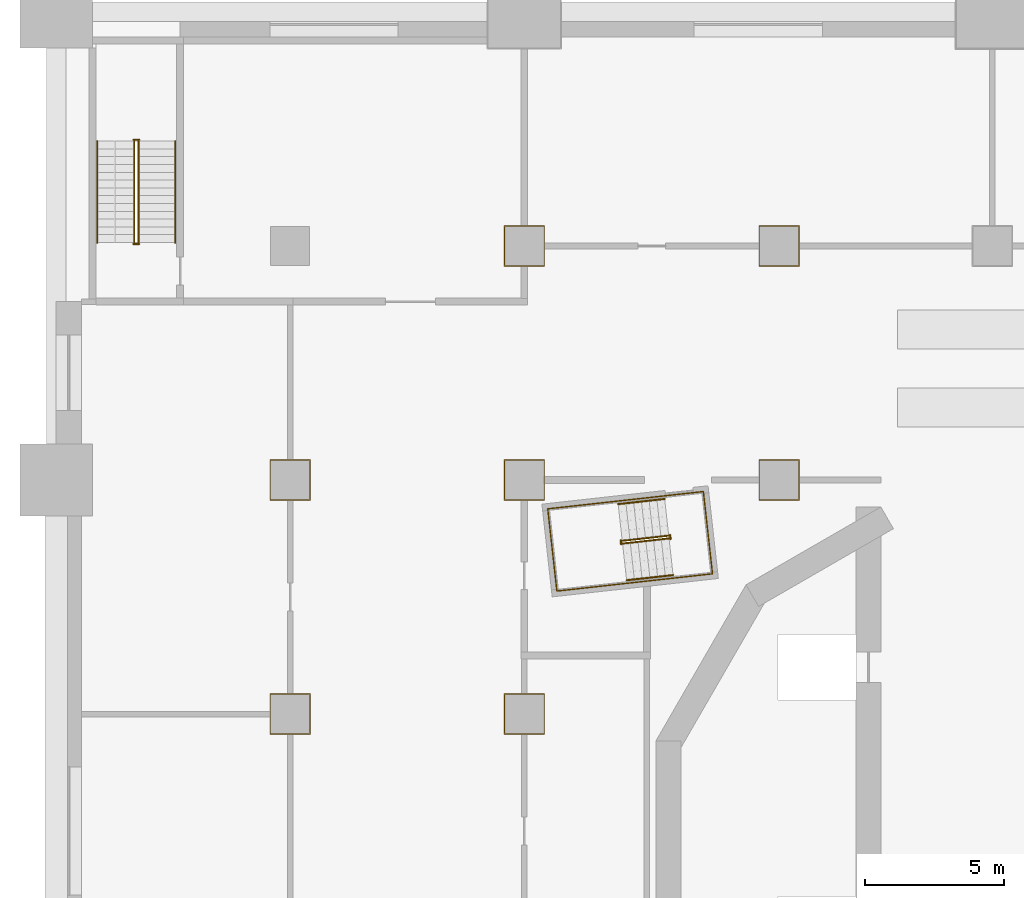
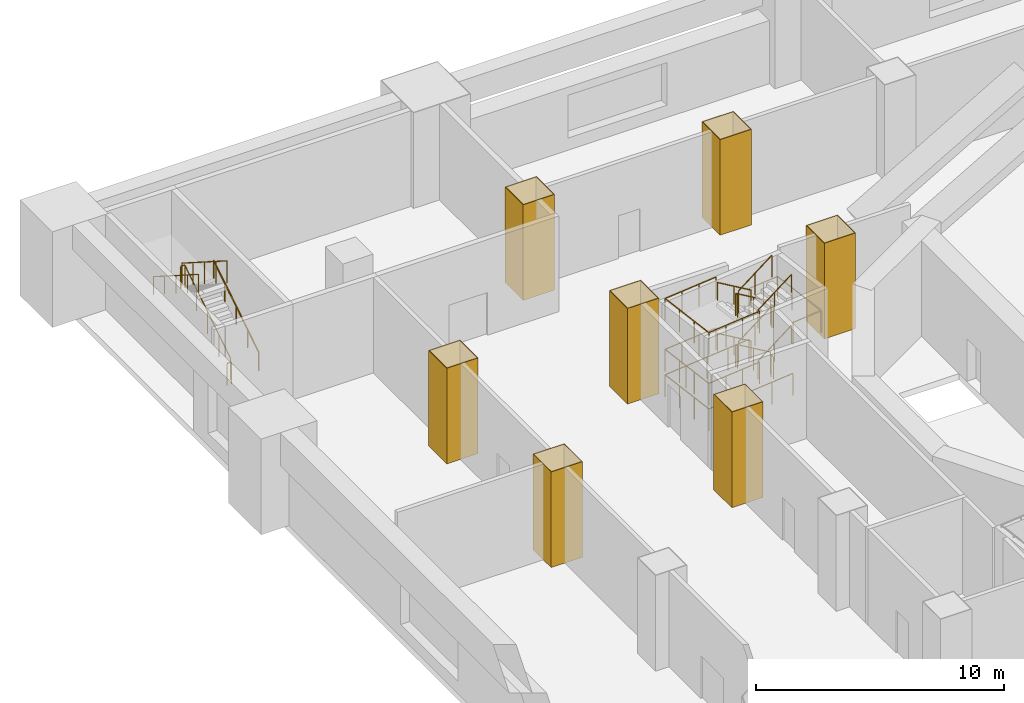
# One storey, part 13 of 19: 19 railings, 7 coverings.
"""IFC4 building model written with IfcOpenShell, lengths in metres."""

from ifc_helpers import new_model, si_unit, direction, frame, origin, origin_2d, place, context, subcontext, project, spatial, polyline, circle, outline, extrude, material, layer, layer_set, type_object, element, save


model = new_model("IFC4")

# Units and contexts
model_context = context("Model", 3, precision=1e-05, world=origin(), true_north=direction((0.0, 1.0)))
body_context = subcontext(model_context, "Body", "Model", "MODEL_VIEW")
ifc_project = project(units=[si_unit("LENGTHUNIT", "METRE"), si_unit("AREAUNIT", "SQUARE_METRE"), si_unit("VOLUMEUNIT", "CUBIC_METRE"), si_unit("PLANEANGLEUNIT", "RADIAN"), si_unit("MASSUNIT", "GRAM", prefix="KILO")], contexts=[model_context])

# Site, building, storey
site_placement = place(None, origin())
site = spatial("IfcSite", under=ifc_project, at=site_placement, CompositionType="ELEMENT")
building_placement = place(site_placement, origin())
building = spatial("IfcBuilding", under=site, at=building_placement, Name="Cantera Rosa Tower", CompositionType="ELEMENT")
storey_placement = place(building_placement, frame((0.0, 0.0, 12.0)))
storey = spatial("IfcBuildingStorey", under=building, at=storey_placement, Name="L01", CompositionType="ELEMENT", Elevation=12.0)

# Coverings
ifc_material_1 = material(Name="Plaster")
ifc_layer = layer(ifc_material_1, 0.030029296875)
ifc_layer_set = layer_set([ifc_layer], Name="Column casing 30")
covering_type = type_object("IfcCoveringType", Name="Column casing 30", PredefinedType="CLADDING", material=ifc_layer_set)
covering_1_placement = place(storey_placement, origin())
element("IfcCovering", 1, at=covering_1_placement, inside=storey, type_object=covering_type, Name="Column casing L01-003", PredefinedType="CLADDING", context=body_context, shape_type="SweptSolid", body=[
    extrude(outline(polyline([(-25.929931640625, 3.469970703125), (-24.469970703125, 3.469970703125), (-24.469970703125, 4.929931640625), (-25.929931640625, 4.929931640625), (-25.929931640625, 3.469970703125)]), holes=[polyline([(-24.5, 4.89990234375), (-25.89990234375, 4.89990234375), (-25.89990234375, 3.5), (-24.5, 3.5), (-24.5, 4.89990234375)])]), origin(), (0.0, 0.0, 1.0), 4.699951171875),
])
covering_2_placement = place(storey_placement, origin())
element("IfcCovering", 2, at=covering_2_placement, inside=storey, type_object=covering_type, Name="Column casing L01-004", PredefinedType="CLADDING", context=body_context, shape_type="SweptSolid", body=[
    extrude(outline(polyline([(-25.929931640625, 11.8701171875), (-24.469970703125, 11.8701171875), (-24.469970703125, 13.330078125), (-25.929931640625, 13.330078125), (-25.929931640625, 11.8701171875)]), holes=[polyline([(-24.5, 13.300048828125), (-25.89990234375, 13.300048828125), (-25.89990234375, 11.89990234375), (-24.5, 11.89990234375), (-24.5, 13.300048828125)])]), origin(), (0.0, 0.0, 1.0), 4.699951171875),
])
covering_3_placement = place(storey_placement, origin())
element("IfcCovering", 3, at=covering_3_placement, inside=storey, type_object=covering_type, Name="Column casing L01-009", PredefinedType="CLADDING", context=body_context, shape_type="SweptSolid", body=[
    extrude(outline(polyline([(-17.530029296875, 3.469970703125), (-16.070068359375, 3.469970703125), (-16.070068359375, 4.929931640625), (-17.530029296875, 4.929931640625), (-17.530029296875, 3.469970703125)]), holes=[polyline([(-16.10009765625, 4.89990234375), (-17.5, 4.89990234375), (-17.5, 3.5), (-16.10009765625, 3.5), (-16.10009765625, 4.89990234375)])]), origin(), (0.0, 0.0, 1.0), 4.699951171875),
])
covering_4_placement = place(storey_placement, origin())
element("IfcCovering", 4, at=covering_4_placement, inside=storey, type_object=covering_type, Name="Column casing L01-010", PredefinedType="CLADDING", context=body_context, shape_type="SweptSolid", body=[
    extrude(outline(polyline([(-17.530029296875, 11.8701171875), (-16.070068359375, 11.8701171875), (-16.070068359375, 13.330078125), (-17.530029296875, 13.330078125), (-17.530029296875, 11.8701171875)]), holes=[polyline([(-16.10009765625, 13.300048828125), (-17.5, 13.300048828125), (-17.5, 11.89990234375), (-16.10009765625, 11.89990234375), (-16.10009765625, 13.300048828125)])]), origin(), (0.0, 0.0, 1.0), 4.699951171875),
])
covering_5_placement = place(storey_placement, origin())
element("IfcCovering", 5, at=covering_5_placement, inside=storey, type_object=covering_type, Name="Column casing L01-011", PredefinedType="CLADDING", context=body_context, shape_type="SweptSolid", body=[
    extrude(outline(polyline([(-17.530029296875, 20.27001953125), (-16.070068359375, 20.27001953125), (-16.070068359375, 21.72998046875), (-17.530029296875, 21.72998046875), (-17.530029296875, 20.27001953125)]), holes=[polyline([(-16.10009765625, 21.699951171875), (-17.5, 21.699951171875), (-17.5, 20.300048828125), (-16.10009765625, 20.300048828125), (-16.10009765625, 21.699951171875)])]), origin(), (0.0, 0.0, 1.0), 4.699951171875),
])
covering_6_placement = place(storey_placement, origin())
element("IfcCovering", 6, at=covering_6_placement, inside=storey, type_object=covering_type, Name="Column casing L01-015", PredefinedType="CLADDING", context=body_context, shape_type="SweptSolid", body=[
    extrude(outline(polyline([(-8.3798828125, 11.8701171875), (-6.919921875, 11.8701171875), (-6.919921875, 13.330078125), (-8.3798828125, 13.330078125), (-8.3798828125, 11.8701171875)]), holes=[polyline([(-6.949951171875, 13.300048828125), (-8.35009765625, 13.300048828125), (-8.35009765625, 11.89990234375), (-6.949951171875, 11.89990234375), (-6.949951171875, 13.300048828125)])]), origin(), (0.0, 0.0, 1.0), 4.699951171875),
])
covering_7_placement = place(storey_placement, origin())
element("IfcCovering", 7, at=covering_7_placement, inside=storey, type_object=covering_type, Name="Column casing L01-016", PredefinedType="CLADDING", context=body_context, shape_type="SweptSolid", body=[
    extrude(outline(polyline([(-8.3798828125, 20.27001953125), (-6.919921875, 20.27001953125), (-6.919921875, 21.72998046875), (-8.3798828125, 21.72998046875), (-8.3798828125, 20.27001953125)]), holes=[polyline([(-6.949951171875, 21.699951171875), (-8.35009765625, 21.699951171875), (-8.35009765625, 20.300048828125), (-6.949951171875, 20.300048828125), (-6.949951171875, 21.699951171875)])]), origin(), (0.0, 0.0, 1.0), 4.699951171875),
])

# Railings
ifc_material_2 = material(Name="Steel S355J2 (EN 10025-2)", Category="steel")
railing_type_1 = type_object("IfcRailingType", Name="STAIR GUARD 1100", PredefinedType="GUARDRAIL", material=ifc_material_2)
railing_1_placement = place(storey_placement, frame((-11.614013671875, 10.60302734375, 0.178466796875)))
element("IfcRailing", 8, at=railing_1_placement, inside=storey, type_object=railing_type_1, Name="L01 ST-12 stair guard 1", PredefinedType="GUARDRAIL", context=body_context, shape_type="SweptSolid", body=[
    extrude(circle(Radius=0.02392578125, at=origin_2d()), frame((0.0, 0.0, 1.076171875), z_axis=(-0.837950904326, -0.092996744609, 0.537763784046), x_axis=(0.110303920128, -0.993897904819, 0.0)), (0.0, 0.0, 1.0), 1.99267578125),
    extrude(circle(Radius=0.02392578125, at=origin_2d()), frame((-1.669677734375, -0.185302734375, 2.1474609375), z_axis=(-0.931434406233, 0.363909256389, 0.0), x_axis=(-0.363909256389, -0.931434406233, 0.0)), (0.0, 0.0, 1.0), 0.056396484375),
    extrude(circle(Radius=0.02392578125, at=origin_2d()), frame((-1.72216796875, -0.164794921875, 2.1474609375), z_axis=(0.1090029065, -0.994041430915, 0.0), x_axis=(0.994041430915, 0.1090029065, 0.0)), (0.0, 0.0, 1.0), 0.150146484375),
    extrude(circle(Radius=0.02099609375, at=origin_2d()), origin(), (0.0, 0.0, 1.0), 1.052001953125),
    extrude(circle(Radius=0.02099609375, at=origin_2d()), frame((-0.8349609375, -0.0927734375, 0.53564453125)), (0.0, 0.0, 1.0), 1.052001953125),
    extrude(circle(Radius=0.02099609375, at=origin_2d()), frame((-1.669677734375, -0.185302734375, 1.071533203125)), (0.0, 0.0, 1.0), 1.052001953125),
    extrude(circle(Radius=0.02099609375, at=origin_2d()), frame((-1.72216796875, -0.164794921875, 1.071533203125)), (0.0, 0.0, 1.0), 1.052001953125),
    extrude(circle(Radius=0.02099609375, at=origin_2d()), frame((-1.705810546875, -0.31396484375, 1.071533203125)), (0.0, 0.0, 1.0), 1.052001953125),
])
railing_2_placement = place(storey_placement, frame((-13.27294921875, 10.3203125, 1.428466796875)))
element("IfcRailing", 9, at=railing_2_placement, inside=storey, type_object=railing_type_1, Name="L01 ST-12 stair guard 2", PredefinedType="GUARDRAIL", context=body_context, shape_type="SweptSolid", body=[
    extrude(circle(Radius=0.02392578125, at=origin_2d()), frame((0.0, 0.0, 1.076171875), z_axis=(0.837987391448, 0.092987197384, 0.537708576179), x_axis=(-0.11028798999, 0.993899672635, 0.0)), (0.0, 0.0, 1.0), 1.99267578125),
    extrude(circle(Radius=0.02392578125, at=origin_2d()), frame((1.669921875, 0.185302734375, 2.1474609375), z_axis=(0.932897555956, -0.360141847183, 0.0), x_axis=(0.360141847183, 0.932897555956, 0.0)), (0.0, 0.0, 1.0), 0.05615234375),
    extrude(circle(Radius=0.02392578125, at=origin_2d()), frame((1.722412109375, 0.1650390625, 2.1474609375), z_axis=(-0.110610055588, 0.993863881828, 0.0), x_axis=(-0.993863881828, -0.110610055588, 0.0)), (0.0, 0.0, 1.0), 0.150146484375),
    extrude(circle(Radius=0.02099609375, at=origin_2d()), origin(), (0.0, 0.0, 1.0), 1.052001953125),
    extrude(circle(Radius=0.02099609375, at=origin_2d()), frame((0.8349609375, 0.0927734375, 0.53564453125)), (0.0, 0.0, 1.0), 1.052001953125),
    extrude(circle(Radius=0.02099609375, at=origin_2d()), frame((1.669921875, 0.185302734375, 1.071533203125)), (0.0, 0.0, 1.0), 1.052001953125),
    extrude(circle(Radius=0.02099609375, at=origin_2d()), frame((1.722412109375, 0.1650390625, 1.071533203125)), (0.0, 0.0, 1.0), 1.052001953125),
    extrude(circle(Radius=0.02099609375, at=origin_2d()), frame((1.705810546875, 0.314208984375, 1.071533203125)), (0.0, 0.0, 1.0), 1.052001953125),
])
railing_3_placement = place(storey_placement, frame((-11.614013671875, 10.60302734375, 2.678466796875)))
element("IfcRailing", 10, at=railing_3_placement, inside=storey, type_object=railing_type_1, Name="L01 ST-12 stair guard 3", PredefinedType="GUARDRAIL", context=body_context, shape_type="SweptSolid", body=[
    extrude(circle(Radius=0.02392578125, at=origin_2d()), frame((0.0, 0.0, 1.076171875), z_axis=(-0.837950904326, -0.092996744609, 0.537763784046), x_axis=(0.110303920128, -0.993897904819, 0.0)), (0.0, 0.0, 1.0), 1.99267578125),
    extrude(circle(Radius=0.02392578125, at=origin_2d()), frame((-1.669677734375, -0.185302734375, 2.1474609375), z_axis=(-0.931434406233, 0.363909256389, 0.0), x_axis=(-0.363909256389, -0.931434406233, 0.0)), (0.0, 0.0, 1.0), 0.056396484375),
    extrude(circle(Radius=0.02392578125, at=origin_2d()), frame((-1.72216796875, -0.164794921875, 2.1474609375), z_axis=(0.1090029065, -0.994041430915, 0.0), x_axis=(0.994041430915, 0.1090029065, 0.0)), (0.0, 0.0, 1.0), 0.150146484375),
    extrude(circle(Radius=0.02099609375, at=origin_2d()), origin(), (0.0, 0.0, 1.0), 1.052001953125),
    extrude(circle(Radius=0.02099609375, at=origin_2d()), frame((-0.8349609375, -0.0927734375, 0.53564453125)), (0.0, 0.0, 1.0), 1.052001953125),
    extrude(circle(Radius=0.02099609375, at=origin_2d()), frame((-1.669677734375, -0.185302734375, 1.071533203125)), (0.0, 0.0, 1.0), 1.052001953125),
    extrude(circle(Radius=0.02099609375, at=origin_2d()), frame((-1.72216796875, -0.164794921875, 1.071533203125)), (0.0, 0.0, 1.0), 1.052001953125),
    extrude(circle(Radius=0.02099609375, at=origin_2d()), frame((-1.705810546875, -0.31396484375, 1.071533203125)), (0.0, 0.0, 1.0), 1.052001953125),
])
railing_4_placement = place(storey_placement, frame((-13.27294921875, 10.3203125, 3.928466796875)))
element("IfcRailing", 11, at=railing_4_placement, inside=storey, type_object=railing_type_1, Name="L01 ST-12 stair guard 4", PredefinedType="GUARDRAIL", context=body_context, shape_type="SweptSolid", body=[
    extrude(circle(Radius=0.02392578125, at=origin_2d()), frame((0.0, 0.0, 1.076171875), z_axis=(0.837987391448, 0.092987197384, 0.537708576179), x_axis=(-0.11028798999, 0.993899672635, 0.0)), (0.0, 0.0, 1.0), 1.99267578125),
    extrude(circle(Radius=0.02099609375, at=origin_2d()), origin(), (0.0, 0.0, 1.0), 1.052001953125),
    extrude(circle(Radius=0.02099609375, at=origin_2d()), frame((0.8349609375, 0.0927734375, 0.53564453125)), (0.0, 0.0, 1.0), 1.052001953125),
    extrude(circle(Radius=0.02099609375, at=origin_2d()), frame((1.669921875, 0.185302734375, 1.071533203125)), (0.0, 0.0, 1.0), 1.052001953125),
])
railing_5_placement = place(storey_placement, frame((-11.567138671875, 10.634521484375, 0.0)))
element("IfcRailing", 12, at=railing_5_placement, inside=storey, type_object=railing_type_1, Name="L01 ST-12 stair guard 5", PredefinedType="GUARDRAIL", context=body_context, shape_type="SweptSolid", body=[
    extrude(circle(Radius=0.02392578125, at=origin_2d()), frame((0.0, 0.0, 1.076171875), z_axis=(0.110610055588, -0.993863881828, 0.0), x_axis=(0.993863881828, 0.110610055588, 0.0)), (0.0, 0.0, 1.0), 0.150146484375),
    extrude(circle(Radius=0.02099609375, at=origin_2d()), origin(), (0.0, 0.0, 1.0), 1.052001953125),
    extrude(circle(Radius=0.02099609375, at=origin_2d()), frame((0.0166015625, -0.149169921875, 0.0)), (0.0, 0.0, 1.0), 1.052001953125),
])
railing_6_placement = place(storey_placement, frame((-11.7841796875, 12.029052734375, 0.0)))
element("IfcRailing", 13, at=railing_6_placement, inside=storey, type_object=railing_type_1, Name="L01 ST-12 stair guard 6", PredefinedType="GUARDRAIL", context=body_context, shape_type="SweptSolid", body=[
    extrude(circle(Radius=0.02392578125, at=origin_2d()), frame((0.0, 0.0, 1.076171875), z_axis=(-0.9938957856, -0.110323013767, 0.0), x_axis=(0.110323013767, -0.9938957856, 0.0)), (0.0, 0.0, 1.0), 4.197998046875),
    extrude(circle(Radius=0.02392578125, at=origin_2d()), frame((-4.17236328125, -0.463134765625, 1.076171875), z_axis=(0.11023303584, -0.99390576908, 0.0), x_axis=(0.99390576908, 0.11023303584, 0.0)), (0.0, 0.0, 1.0), 2.969970703125),
    extrude(circle(Radius=0.02392578125, at=origin_2d()), frame((-3.844970703125, -3.4150390625, 1.076171875), z_axis=(0.993896493372, 0.11031663729, 0.0), x_axis=(-0.11031663729, 0.993896493372, 0.0)), (0.0, 0.0, 1.0), 4.1982421875),
    extrude(circle(Radius=0.02099609375, at=origin_2d()), origin(), (0.0, 0.0, 1.0), 1.052001953125),
    extrude(circle(Radius=0.02099609375, at=origin_2d()), frame((-1.04296875, -0.11572265625, 0.0)), (0.0, 0.0, 1.0), 1.052001953125),
    extrude(circle(Radius=0.02099609375, at=origin_2d()), frame((-2.086181640625, -0.2314453125, 0.0)), (0.0, 0.0, 1.0), 1.052001953125),
    extrude(circle(Radius=0.02099609375, at=origin_2d()), frame((-3.12939453125, -0.347412109375, 0.0)), (0.0, 0.0, 1.0), 1.052001953125),
    extrude(circle(Radius=0.02099609375, at=origin_2d()), frame((-4.17236328125, -0.463134765625, 0.0)), (0.0, 0.0, 1.0), 1.052001953125),
    extrude(circle(Radius=0.02099609375, at=origin_2d()), frame((-4.063232421875, -1.447021484375, 0.0)), (0.0, 0.0, 1.0), 1.052001953125),
    extrude(circle(Radius=0.02099609375, at=origin_2d()), frame((-3.9541015625, -2.43115234375, 0.0)), (0.0, 0.0, 1.0), 1.052001953125),
    extrude(circle(Radius=0.02099609375, at=origin_2d()), frame((-3.844970703125, -3.4150390625, 0.0)), (0.0, 0.0, 1.0), 1.052001953125),
    extrude(circle(Radius=0.02099609375, at=origin_2d()), frame((-2.8017578125, -3.29931640625, 0.0)), (0.0, 0.0, 1.0), 1.052001953125),
    extrude(circle(Radius=0.02099609375, at=origin_2d()), frame((-1.7587890625, -3.18359375, 0.0)), (0.0, 0.0, 1.0), 1.052001953125),
    extrude(circle(Radius=0.02099609375, at=origin_2d()), frame((-0.715576171875, -3.067626953125, 0.0)), (0.0, 0.0, 1.0), 1.052001953125),
    extrude(circle(Radius=0.02099609375, at=origin_2d()), frame((0.32763671875, -2.951904296875, 0.0)), (0.0, 0.0, 1.0), 1.052001953125),
])
railing_7_placement = place(storey_placement, frame((-13.43017578125, 11.846435546875, 1.25)))
element("IfcRailing", 14, at=railing_7_placement, inside=storey, type_object=railing_type_1, Name="L01 ST-12 stair guard 7", PredefinedType="GUARDRAIL", context=body_context, shape_type="SweptSolid", body=[
    extrude(circle(Radius=0.02392578125, at=origin_2d()), frame((0.0, 0.0, 1.076171875), z_axis=(-0.993891931048, -0.110357733743, 0.0), x_axis=(0.110357733743, -0.993891931048, 0.0)), (0.0, 0.0, 1.0), 2.5419921875),
    extrude(circle(Radius=0.02392578125, at=origin_2d()), frame((-2.5263671875, -0.280517578125, 1.076171875), z_axis=(0.11023303584, -0.99390576908, 0.0), x_axis=(0.99390576908, 0.11023303584, 0.0)), (0.0, 0.0, 1.0), 2.969970703125),
    extrude(circle(Radius=0.02392578125, at=origin_2d()), frame((-2.198974609375, -3.232421875, 1.076171875), z_axis=(0.993893100618, 0.110347199982, 0.0), x_axis=(-0.110347199982, 0.993893100618, 0.0)), (0.0, 0.0, 1.0), 2.542236328125),
    extrude(circle(Radius=0.02099609375, at=origin_2d()), origin(), (0.0, 0.0, 1.0), 1.052001953125),
    extrude(circle(Radius=0.02099609375, at=origin_2d()), frame((-0.842041015625, -0.093505859375, 0.0)), (0.0, 0.0, 1.0), 1.052001953125),
    extrude(circle(Radius=0.02099609375, at=origin_2d()), frame((-1.684326171875, -0.18701171875, 0.0)), (0.0, 0.0, 1.0), 1.052001953125),
    extrude(circle(Radius=0.02099609375, at=origin_2d()), frame((-2.5263671875, -0.280517578125, 0.0)), (0.0, 0.0, 1.0), 1.052001953125),
    extrude(circle(Radius=0.02099609375, at=origin_2d()), frame((-2.417236328125, -1.264404296875, 0.0)), (0.0, 0.0, 1.0), 1.052001953125),
    extrude(circle(Radius=0.02099609375, at=origin_2d()), frame((-2.30810546875, -2.24853515625, 0.0)), (0.0, 0.0, 1.0), 1.052001953125),
    extrude(circle(Radius=0.02099609375, at=origin_2d()), frame((-2.198974609375, -3.232421875, 0.0)), (0.0, 0.0, 1.0), 1.052001953125),
    extrude(circle(Radius=0.02099609375, at=origin_2d()), frame((-1.356689453125, -3.138916015625, 0.0)), (0.0, 0.0, 1.0), 1.052001953125),
    extrude(circle(Radius=0.02099609375, at=origin_2d()), frame((-0.5146484375, -3.04541015625, 0.0)), (0.0, 0.0, 1.0), 1.052001953125),
    extrude(circle(Radius=0.02099609375, at=origin_2d()), frame((0.32763671875, -2.951904296875, 0.0)), (0.0, 0.0, 1.0), 1.052001953125),
])
railing_8_placement = place(storey_placement, frame((-11.7841796875, 12.029052734375, 2.5)))
element("IfcRailing", 15, at=railing_8_placement, inside=storey, type_object=railing_type_1, Name="L01 ST-12 stair guard 8", PredefinedType="GUARDRAIL", context=body_context, shape_type="SweptSolid", body=[
    extrude(circle(Radius=0.02392578125, at=origin_2d()), frame((0.0, 0.0, 1.076171875), z_axis=(0.993887921413, 0.110393838913, 0.0), x_axis=(-0.110393838913, 0.993887921413, 0.0)), (0.0, 0.0, 1.0), 1.422119140625),
    extrude(circle(Radius=0.02392578125, at=origin_2d()), frame((1.413330078125, 0.156982421875, 1.076171875), z_axis=(0.11023303584, -0.99390576908, 0.0), x_axis=(0.99390576908, 0.11023303584, 0.0)), (0.0, 0.0, 1.0), 2.969970703125),
    extrude(circle(Radius=0.02392578125, at=origin_2d()), frame((1.74072265625, -2.794921875, 1.076171875), z_axis=(-0.993885828579, -0.110412679298, 0.0), x_axis=(0.110412679298, -0.993885828579, 0.0)), (0.0, 0.0, 1.0), 1.421875),
    extrude(circle(Radius=0.02099609375, at=origin_2d()), origin(), (0.0, 0.0, 1.0), 1.052001953125),
    extrude(circle(Radius=0.02099609375, at=origin_2d()), frame((0.70654296875, 0.07861328125, 0.0)), (0.0, 0.0, 1.0), 1.052001953125),
    extrude(circle(Radius=0.02099609375, at=origin_2d()), frame((1.413330078125, 0.156982421875, 0.0)), (0.0, 0.0, 1.0), 1.052001953125),
    extrude(circle(Radius=0.02099609375, at=origin_2d()), frame((1.5224609375, -0.826904296875, 0.0)), (0.0, 0.0, 1.0), 1.052001953125),
    extrude(circle(Radius=0.02099609375, at=origin_2d()), frame((1.631591796875, -1.81103515625, 0.0)), (0.0, 0.0, 1.0), 1.052001953125),
    extrude(circle(Radius=0.02099609375, at=origin_2d()), frame((1.74072265625, -2.794921875, 0.0)), (0.0, 0.0, 1.0), 1.052001953125),
    extrude(circle(Radius=0.02099609375, at=origin_2d()), frame((1.0341796875, -2.87353515625, 0.0)), (0.0, 0.0, 1.0), 1.052001953125),
    extrude(circle(Radius=0.02099609375, at=origin_2d()), frame((0.32763671875, -2.951904296875, 0.0)), (0.0, 0.0, 1.0), 1.052001953125),
])
railing_9_placement = place(storey_placement, frame((-13.43017578125, 11.846435546875, 3.75)))
element("IfcRailing", 16, at=railing_9_placement, inside=storey, type_object=railing_type_1, Name="L01 ST-12 stair guard 9", PredefinedType="GUARDRAIL", context=body_context, shape_type="SweptSolid", body=[
    extrude(circle(Radius=0.02392578125, at=origin_2d()), frame((0.0, 0.0, 1.076171875), z_axis=(-0.993891931048, -0.110357733743, 0.0), x_axis=(0.110357733743, -0.993891931048, 0.0)), (0.0, 0.0, 1.0), 2.5419921875),
    extrude(circle(Radius=0.02392578125, at=origin_2d()), frame((-2.5263671875, -0.280517578125, 1.076171875), z_axis=(0.11023303584, -0.99390576908, 0.0), x_axis=(0.99390576908, 0.11023303584, 0.0)), (0.0, 0.0, 1.0), 2.969970703125),
    extrude(circle(Radius=0.02392578125, at=origin_2d()), frame((-2.198974609375, -3.232421875, 1.076171875), z_axis=(0.993893100618, 0.110347199982, 0.0), x_axis=(-0.110347199982, 0.993893100618, 0.0)), (0.0, 0.0, 1.0), 2.542236328125),
    extrude(circle(Radius=0.02099609375, at=origin_2d()), origin(), (0.0, 0.0, 1.0), 1.052001953125),
    extrude(circle(Radius=0.02099609375, at=origin_2d()), frame((-0.842041015625, -0.093505859375, 0.0)), (0.0, 0.0, 1.0), 1.052001953125),
    extrude(circle(Radius=0.02099609375, at=origin_2d()), frame((-1.684326171875, -0.18701171875, 0.0)), (0.0, 0.0, 1.0), 1.052001953125),
    extrude(circle(Radius=0.02099609375, at=origin_2d()), frame((-2.5263671875, -0.280517578125, 0.0)), (0.0, 0.0, 1.0), 1.052001953125),
    extrude(circle(Radius=0.02099609375, at=origin_2d()), frame((-2.417236328125, -1.264404296875, 0.0)), (0.0, 0.0, 1.0), 1.052001953125),
    extrude(circle(Radius=0.02099609375, at=origin_2d()), frame((-2.30810546875, -2.24853515625, 0.0)), (0.0, 0.0, 1.0), 1.052001953125),
    extrude(circle(Radius=0.02099609375, at=origin_2d()), frame((-2.198974609375, -3.232421875, 0.0)), (0.0, 0.0, 1.0), 1.052001953125),
    extrude(circle(Radius=0.02099609375, at=origin_2d()), frame((-1.356689453125, -3.138916015625, 0.0)), (0.0, 0.0, 1.0), 1.052001953125),
    extrude(circle(Radius=0.02099609375, at=origin_2d()), frame((-0.5146484375, -3.04541015625, 0.0)), (0.0, 0.0, 1.0), 1.052001953125),
    extrude(circle(Radius=0.02099609375, at=origin_2d()), frame((0.32763671875, -2.951904296875, 0.0)), (0.0, 0.0, 1.0), 1.052001953125),
])
railing_10_placement = place(storey_placement, frame((-30.65087890625, 21.125, 0.178466796875)))
element("IfcRailing", 17, at=railing_10_placement, inside=storey, type_object=railing_type_1, Name="L01 ST-NW stair guard 1", PredefinedType="GUARDRAIL", context=body_context, shape_type="SweptSolid", body=[
    extrude(circle(Radius=0.02392578125, at=origin_2d()), frame((0.0, 0.0, 1.076171875), z_axis=(0.0, 0.843111507901, 0.53773877045), x_axis=(-1.0, 0.0, 0.0)), (0.0, 0.0, 1.0), 4.317138671875),
    extrude(circle(Radius=0.02099609375, at=origin_2d()), origin(), (0.0, 0.0, 1.0), 1.052001953125),
    extrude(circle(Radius=0.02099609375, at=origin_2d()), frame((0.0, 0.909912109375, 0.580322265625)), (0.0, 0.0, 1.0), 1.052001953125),
    extrude(circle(Radius=0.02099609375, at=origin_2d()), frame((0.0, 1.81982421875, 1.16064453125)), (0.0, 0.0, 1.0), 1.052001953125),
    extrude(circle(Radius=0.02099609375, at=origin_2d()), frame((0.0, 2.72998046875, 1.7412109375)), (0.0, 0.0, 1.0), 1.052001953125),
    extrude(circle(Radius=0.02099609375, at=origin_2d()), frame((0.0, 3.639892578125, 2.321533203125)), (0.0, 0.0, 1.0), 1.052001953125),
])
railing_11_placement = place(storey_placement, frame((-30.625, 24.81494140625, 2.5)))
element("IfcRailing", 18, at=railing_11_placement, inside=storey, type_object=railing_type_1, Name="L01 ST-NW stair guard 2", PredefinedType="GUARDRAIL", context=body_context, shape_type="SweptSolid", body=[
    extrude(circle(Radius=0.02392578125, at=origin_2d()), frame((0.0, 0.0, 1.076171875), z_axis=(-1.0, 0.0, 0.0), x_axis=(0.0, -1.0, 0.0)), (0.0, 0.0, 1.0), 0.199951171875),
    extrude(circle(Radius=0.02099609375, at=origin_2d()), origin(), (0.0, 0.0, 1.0), 1.052001953125),
    extrude(circle(Radius=0.02099609375, at=origin_2d()), frame((-0.199951171875, 0.0, 0.0)), (0.0, 0.0, 1.0), 1.052001953125),
])
railing_12_placement = place(storey_placement, frame((-30.799072265625, 24.764892578125, 2.678466796875)))
element("IfcRailing", 19, at=railing_12_placement, inside=storey, type_object=railing_type_1, Name="L01 ST-NW stair guard 3", PredefinedType="GUARDRAIL", context=body_context, shape_type="SweptSolid", body=[
    extrude(circle(Radius=0.02392578125, at=origin_2d()), frame((0.0, 0.0, 1.076171875), z_axis=(0.0, -0.843111507901, 0.53773877045), x_axis=(1.0, 0.0, 0.0)), (0.0, 0.0, 1.0), 4.317138671875),
    extrude(circle(Radius=0.02099609375, at=origin_2d()), origin(), (0.0, 0.0, 1.0), 1.052001953125),
    extrude(circle(Radius=0.02099609375, at=origin_2d()), frame((0.0, -0.909912109375, 0.580322265625)), (0.0, 0.0, 1.0), 1.052001953125),
    extrude(circle(Radius=0.02099609375, at=origin_2d()), frame((0.0, -1.81982421875, 1.16064453125)), (0.0, 0.0, 1.0), 1.052001953125),
    extrude(circle(Radius=0.02099609375, at=origin_2d()), frame((0.0, -2.72998046875, 1.7412109375)), (0.0, 0.0, 1.0), 1.052001953125),
    extrude(circle(Radius=0.02099609375, at=origin_2d()), frame((0.0, -3.639892578125, 2.321533203125)), (0.0, 0.0, 1.0), 1.052001953125),
])
railing_13_placement = place(storey_placement, frame((-30.625, 21.074951171875, 0.0)))
element("IfcRailing", 20, at=railing_13_placement, inside=storey, type_object=railing_type_1, Name="L01 ST-NW stair guard 4", PredefinedType="GUARDRAIL", context=body_context, shape_type="SweptSolid", body=[
    extrude(circle(Radius=0.02392578125, at=origin_2d()), frame((0.0, 0.0, 1.076171875), z_axis=(-1.0, 0.0, 0.0), x_axis=(0.0, -1.0, 0.0)), (0.0, 0.0, 1.0), 0.199951171875),
    extrude(circle(Radius=0.02099609375, at=origin_2d()), origin(), (0.0, 0.0, 1.0), 1.052001953125),
    extrude(circle(Radius=0.02099609375, at=origin_2d()), frame((-0.199951171875, 0.0, 0.0)), (0.0, 0.0, 1.0), 1.052001953125),
])
ifc_material_3 = material(Name="Steel S355J2 (EN 10025-2)", Category="steel")
railing_type_2 = type_object("IfcRailingType", Name="STAIR HANDRAIL 900", PredefinedType="HANDRAIL", material=ifc_material_3)
railing_14_placement = place(storey_placement, frame((-11.76025390625, 11.921142578125, 0.178466796875)))
element("IfcRailing", 21, at=railing_14_placement, inside=storey, type_object=railing_type_2, Name="L01 ST-12 stair handrail 1", PredefinedType="HANDRAIL", context=body_context, shape_type="SweptSolid", body=[
    extrude(circle(Radius=0.02392578125, at=origin_2d()), frame((0.0, 0.0, 0.8759765625), z_axis=(-0.837950904326, -0.092996744609, 0.537763784046), x_axis=(0.110303920128, -0.993897904819, 0.0)), (0.0, 0.0, 1.0), 1.99267578125),
    extrude(circle(Radius=0.02099609375, at=origin_2d()), origin(), (0.0, 0.0, 1.0), 0.851806640625),
    extrude(circle(Radius=0.02099609375, at=origin_2d()), frame((-0.8349609375, -0.0927734375, 0.53564453125)), (0.0, 0.0, 1.0), 0.851806640625),
    extrude(circle(Radius=0.02099609375, at=origin_2d()), frame((-1.669677734375, -0.185302734375, 1.071533203125)), (0.0, 0.0, 1.0), 0.851806640625),
])
railing_15_placement = place(storey_placement, frame((-13.126708984375, 9.00244140625, 1.428466796875)))
element("IfcRailing", 22, at=railing_15_placement, inside=storey, type_object=railing_type_2, Name="L01 ST-12 stair handrail 2", PredefinedType="HANDRAIL", context=body_context, shape_type="SweptSolid", body=[
    extrude(circle(Radius=0.02392578125, at=origin_2d()), frame((0.0, 0.0, 0.8759765625), z_axis=(0.837987391448, 0.092987197384, 0.537708576179), x_axis=(-0.11028798999, 0.993899672635, 0.0)), (0.0, 0.0, 1.0), 1.99267578125),
    extrude(circle(Radius=0.02099609375, at=origin_2d()), origin(), (0.0, 0.0, 1.0), 0.851806640625),
    extrude(circle(Radius=0.02099609375, at=origin_2d()), frame((0.8349609375, 0.0927734375, 0.53564453125)), (0.0, 0.0, 1.0), 0.851806640625),
    extrude(circle(Radius=0.02099609375, at=origin_2d()), frame((1.669921875, 0.185302734375, 1.071533203125)), (0.0, 0.0, 1.0), 0.851806640625),
])
railing_16_placement = place(storey_placement, frame((-11.76025390625, 11.921142578125, 2.678466796875)))
element("IfcRailing", 23, at=railing_16_placement, inside=storey, type_object=railing_type_2, Name="L01 ST-12 stair handrail 3", PredefinedType="HANDRAIL", context=body_context, shape_type="SweptSolid", body=[
    extrude(circle(Radius=0.02392578125, at=origin_2d()), frame((0.0, 0.0, 0.8759765625), z_axis=(-0.837950904326, -0.092996744609, 0.537763784046), x_axis=(0.110303920128, -0.993897904819, 0.0)), (0.0, 0.0, 1.0), 1.99267578125),
    extrude(circle(Radius=0.02099609375, at=origin_2d()), origin(), (0.0, 0.0, 1.0), 0.851806640625),
    extrude(circle(Radius=0.02099609375, at=origin_2d()), frame((-0.8349609375, -0.0927734375, 0.53564453125)), (0.0, 0.0, 1.0), 0.851806640625),
    extrude(circle(Radius=0.02099609375, at=origin_2d()), frame((-1.669677734375, -0.185302734375, 1.071533203125)), (0.0, 0.0, 1.0), 0.851806640625),
])
railing_17_placement = place(storey_placement, frame((-13.126708984375, 9.00244140625, 3.928466796875)))
element("IfcRailing", 24, at=railing_17_placement, inside=storey, type_object=railing_type_2, Name="L01 ST-12 stair handrail 4", PredefinedType="HANDRAIL", context=body_context, shape_type="SweptSolid", body=[
    extrude(circle(Radius=0.02392578125, at=origin_2d()), frame((0.0, 0.0, 0.8759765625), z_axis=(0.837987391448, 0.092987197384, 0.537708576179), x_axis=(-0.11028798999, 0.993899672635, 0.0)), (0.0, 0.0, 1.0), 1.99267578125),
    extrude(circle(Radius=0.02099609375, at=origin_2d()), origin(), (0.0, 0.0, 1.0), 0.851806640625),
    extrude(circle(Radius=0.02099609375, at=origin_2d()), frame((0.8349609375, 0.0927734375, 0.53564453125)), (0.0, 0.0, 1.0), 0.851806640625),
    extrude(circle(Radius=0.02099609375, at=origin_2d()), frame((1.669921875, 0.185302734375, 1.071533203125)), (0.0, 0.0, 1.0), 0.851806640625),
])
railing_18_placement = place(storey_placement, frame((-29.324951171875, 21.125, 0.178466796875)))
element("IfcRailing", 25, at=railing_18_placement, inside=storey, type_object=railing_type_2, Name="L01 ST-NW stair handrail 1", PredefinedType="HANDRAIL", context=body_context, shape_type="SweptSolid", body=[
    extrude(circle(Radius=0.02392578125, at=origin_2d()), frame((0.0, 0.0, 0.8759765625), z_axis=(0.0, 0.843111507901, 0.53773877045), x_axis=(-1.0, 0.0, 0.0)), (0.0, 0.0, 1.0), 4.317138671875),
    extrude(circle(Radius=0.02099609375, at=origin_2d()), origin(), (0.0, 0.0, 1.0), 0.851806640625),
    extrude(circle(Radius=0.02099609375, at=origin_2d()), frame((0.0, 0.909912109375, 0.580322265625)), (0.0, 0.0, 1.0), 0.851806640625),
    extrude(circle(Radius=0.02099609375, at=origin_2d()), frame((0.0, 1.81982421875, 1.16064453125)), (0.0, 0.0, 1.0), 0.851806640625),
    extrude(circle(Radius=0.02099609375, at=origin_2d()), frame((0.0, 2.72998046875, 1.7412109375)), (0.0, 0.0, 1.0), 0.851806640625),
    extrude(circle(Radius=0.02099609375, at=origin_2d()), frame((0.0, 3.639892578125, 2.321533203125)), (0.0, 0.0, 1.0), 0.851806640625),
])
railing_19_placement = place(storey_placement, frame((-32.125, 24.764892578125, 2.678466796875)))
element("IfcRailing", 26, at=railing_19_placement, inside=storey, type_object=railing_type_2, Name="L01 ST-NW stair handrail 2", PredefinedType="HANDRAIL", context=body_context, shape_type="SweptSolid", body=[
    extrude(circle(Radius=0.02392578125, at=origin_2d()), frame((0.0, 0.0, 0.8759765625), z_axis=(0.0, -0.843111507901, 0.53773877045), x_axis=(1.0, 0.0, 0.0)), (0.0, 0.0, 1.0), 4.317138671875),
    extrude(circle(Radius=0.02099609375, at=origin_2d()), origin(), (0.0, 0.0, 1.0), 0.851806640625),
    extrude(circle(Radius=0.02099609375, at=origin_2d()), frame((0.0, -0.909912109375, 0.580322265625)), (0.0, 0.0, 1.0), 0.851806640625),
    extrude(circle(Radius=0.02099609375, at=origin_2d()), frame((0.0, -1.81982421875, 1.16064453125)), (0.0, 0.0, 1.0), 0.851806640625),
    extrude(circle(Radius=0.02099609375, at=origin_2d()), frame((0.0, -2.72998046875, 1.7412109375)), (0.0, 0.0, 1.0), 0.851806640625),
    extrude(circle(Radius=0.02099609375, at=origin_2d()), frame((0.0, -3.639892578125, 2.321533203125)), (0.0, 0.0, 1.0), 0.851806640625),
])

save(model, "model.ifc")
